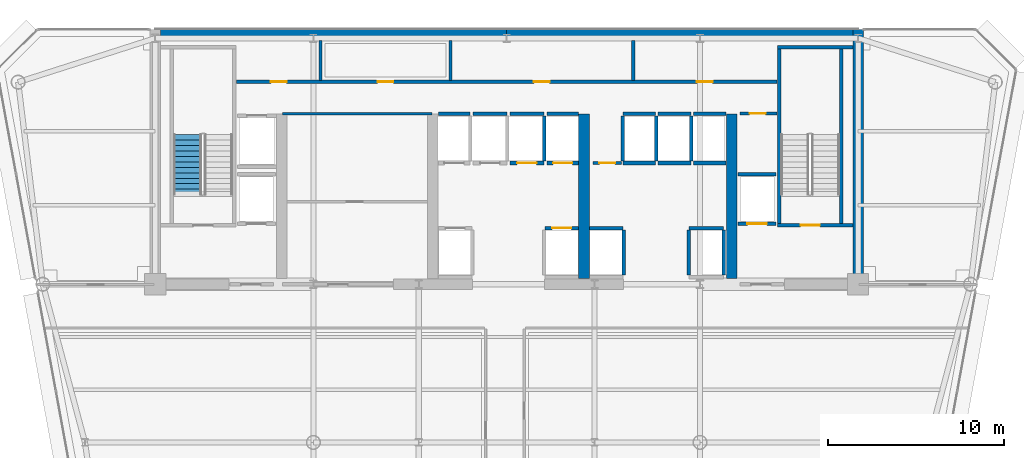
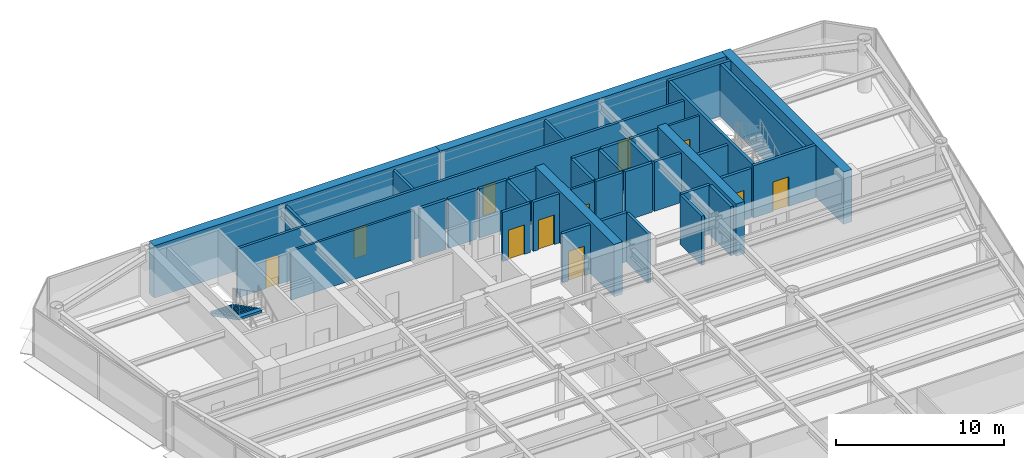
# One storey, part 11 of 16: 40 walls, 11 doors, 1 stair flight, 11 openings, 1 element without a shape of its own.
"""IFC4 building model written with IfcOpenShell, lengths in metres."""

from ifc_helpers import new_model, si_unit, direction, frame, frame_2d, origin, place, context, subcontext, project, spatial, polyline, rectangle, outline, extrude, source, transform, mapped, material, layer, layer_set, type_object, element, fill, aggregate, save


model = new_model("IFC4")

# Units and contexts
model_context = context("Model", 3, precision=1e-05, world=origin(), true_north=direction((0.0, 1.0)))
body_context = subcontext(model_context, "Body", "Model", "MODEL_VIEW")
ifc_project = project(units=[si_unit("LENGTHUNIT", "METRE"), si_unit("AREAUNIT", "SQUARE_METRE"), si_unit("VOLUMEUNIT", "CUBIC_METRE"), si_unit("PLANEANGLEUNIT", "RADIAN"), si_unit("MASSUNIT", "GRAM", prefix="KILO")], contexts=[model_context])

# Site, building, storey
site_placement = place(None, origin())
site = spatial("IfcSite", under=ifc_project, at=site_placement, CompositionType="ELEMENT")
building_placement = place(site_placement, origin())
building = spatial("IfcBuilding", under=site, at=building_placement, Name="Vaeldorn Concourse Tower", CompositionType="ELEMENT")
storey_placement = place(building_placement, frame((0.0, 0.0, 191.800048828125)))
storey = spatial("IfcBuildingStorey", under=building, at=storey_placement, Name="L49", CompositionType="ELEMENT", Elevation=191.800048828125)

# Walls
ifc_material_1 = material(Name="Concrete C50/60", Category="concrete")
ifc_layer_1 = layer(ifc_material_1, 0.60009765625)
ifc_layer_set_1 = layer_set([ifc_layer_1], Name="Concrete C50/60")
wall_type_1 = type_object("IfcWallType", Name="WL-CORE-600", PredefinedType="SHEAR", material=ifc_layer_set_1)
for number, where, z_axis, x_axis, name in (
    (1, (14.303955078125, 50.699951171875, 0.0), (0.0, 0.0, 1.0), (1.0, 0.0, 0.0), "Rear Core Shear Wall L49 N1"),
    (2, (34.001953125, 50.699951171875, 0.0), (0.0, 0.0, 1.0), (1.0, 0.0, 0.0), "Rear Core Shear Wall L49 N2"),
):
    element("IfcWall", number, at=place(storey_placement, frame(where, z_axis=z_axis, x_axis=x_axis)), inside=storey, type_object=wall_type_1, Name=name, PredefinedType="SHEAR", context=body_context, shape_type="SweptSolid", body=[
        extrude(rectangle(XDim=19.694091796875, YDim=0.60009765625, at=frame_2d((9.84716796875, 0.0))), origin(), (0.0, 0.0, 1.0), 3.800048828125),
    ])
wall_1_placement = place(storey_placement, frame((54.0, 36.5, 0.0), z_axis=(0.0, 0.0, 1.0), x_axis=(0.0, 1.0, 0.0)))
element("IfcWall", 3, at=wall_1_placement, inside=storey, type_object=wall_type_1, Name="Rear Core Shear Wall L49 E1", PredefinedType="SHEAR", context=body_context, shape_type="SweptSolid", body=[
    extrude(rectangle(XDim=14.5, YDim=0.60009765625, at=frame_2d((7.25, 0.0))), origin(), (0.0, 0.0, 1.0), 3.800048828125),
])
for number, where, z_axis, x_axis, name in (
    (4, (38.39990234375, 36.820068359375, 0.0), (0.0, 0.0, 1.0), (0.0, 1.0, 0.0), "Rear Core Shear Wall L49 M3"),
    (5, (46.800048828125, 36.820068359375, 0.0), (0.0, 0.0, 1.0), (0.0, 1.0, 0.0), "Rear Core Shear Wall L49 M4"),
):
    element("IfcWall", number, at=place(storey_placement, frame(where, z_axis=z_axis, x_axis=x_axis)), inside=storey, type_object=wall_type_1, Name=name, PredefinedType="SHEAR", context=body_context, shape_type="SweptSolid", body=[
        extrude(rectangle(XDim=9.3798828125, YDim=0.60009765625, at=frame_2d((4.68994140625, 0.0))), origin(), (0.0, 0.0, 1.0), 3.800048828125),
    ])
ifc_material_2 = material(Name="Gypsum Board Partition", Category="gypsum")
ifc_layer_2 = layer(ifc_material_2, 0.14990234375)
ifc_layer_set_2 = layer_set([ifc_layer_2], Name="Gypsum Board Partition")
wall_type_2 = type_object("IfcWallType", Name="WL-PART-150", PredefinedType="PARTITIONING", material=ifc_layer_set_2)
wall_2_placement = place(storey_placement, frame((21.25, 46.199951171875, 0.0), z_axis=(0.0, 0.0, 1.0), x_axis=(1.0, 0.0, 0.0)))
element("IfcWall", 6, at=wall_2_placement, inside=storey, type_object=wall_type_2, Name="Interior Wall CW-L49-R1N", PredefinedType="PARTITIONING", context=body_context, shape_type="SweptSolid", body=[
    extrude(rectangle(XDim=8.5, YDim=0.14990234375, at=frame_2d((4.25, 0.0))), origin(), (0.0, 0.0, 1.0), 3.579833984375),
])

# Wall, opening, door
wall_3_placement = place(storey_placement, frame((47.280029296875, 46.219970703125, 0.0), z_axis=(0.0, 0.0, 1.0), x_axis=(1.0, 0.0, 0.0)))
wall_3 = element("IfcWall", 7, at=wall_3_placement, inside=storey, type_object=wall_type_2, Name="Interior Wall CW-L49-CRSE-N", PredefinedType="PARTITIONING", context=body_context, shape_type="SweptSolid", body=[
    extrude(rectangle(XDim=2.099853515625, YDim=0.14990234375, at=frame_2d((1.0498046875, 0.0))), origin(), (0.0, 0.0, 1.0), 3.579833984375),
])
opening_1_placement = place(wall_3_placement, frame((0.550048828125, 0.0, 0.0)))
opening_1 = element("IfcOpeningElement", 8, at=opening_1_placement, cuts=wall_3, Name="Opening D-02", PredefinedType="OPENING", context=body_context, shape_type="SweptSolid", body=[
    extrude(rectangle(XDim=0.89990234375, YDim=2.10009765625, at=frame_2d((0.449951171875, 1.050048828125))), frame((0.0, 0.0849609375, 0.0), z_axis=(0.0, -1.0, 0.0), x_axis=(1.0, 0.0, 0.0)), (0.0, 0.0, 1.0), 0.169921875),
])
ifc_material_3 = material(Name="Fire-Rated Timber Leaf", Category="wood")
door_type_1 = type_object("IfcDoorType", Name="DR-FD30-900", OperationType="NOTDEFINED", PredefinedType="DOOR", material=ifc_material_3)
shared_shape_1 = source(origin(), body_context, "Body", "SweptSolid", [
    extrude(rectangle(XDim=0.89990234375, YDim=2.10009765625, at=frame_2d((0.449951171875, 1.050048828125))), frame((0.0, 0.02490234375, 0.0), z_axis=(0.0, -1.0, 0.0), x_axis=(1.0, 0.0, 0.0)), (0.0, 0.0, 1.0), 0.050048828125),
])
door_1_placement = place(opening_1_placement, origin())
door_1 = element("IfcDoor", 9, at=door_1_placement, inside=storey, type_object=door_type_1, Name="Interior Door DR-L49-CRSE", OperationType="SINGLE_SWING_RIGHT", OverallHeight=2.10009765625, OverallWidth=0.89990234375, PredefinedType="DOOR", context=body_context, shape_type="MappedRepresentation", body=[
    mapped(shared_shape_1, transform((0.0, 0.0, 0.0), scale=1.0)),
])
fill(opening_1, door_1)

wall_4_placement = place(storey_placement, frame((38.919921875, 43.39990234375, 0.0), z_axis=(0.0, 0.0, 1.0), x_axis=(1.0, 0.0, 0.0)))
wall_4 = element("IfcWall", 10, at=wall_4_placement, inside=storey, type_object=wall_type_2, Name="Interior Wall CW-L49-CCLINK", PredefinedType="PARTITIONING", context=body_context, shape_type="SweptSolid", body=[
    extrude(rectangle(XDim=1.60009765625, YDim=0.14990234375, at=frame_2d((0.800048828125, 0.0))), origin(), (0.0, 0.0, 1.0), 3.579833984375),
])
opening_2_placement = place(wall_4_placement, frame((0.35009765625, 0.0, 0.0)))
opening_2 = element("IfcOpeningElement", 11, at=opening_2_placement, cuts=wall_4, Name="Opening D-02", PredefinedType="OPENING", context=body_context, shape_type="SweptSolid", body=[
    extrude(rectangle(XDim=0.89990234375, YDim=2.10009765625, at=frame_2d((0.449951171875, 1.050048828125))), frame((0.0, 0.0849609375, 0.0), z_axis=(0.0, -1.0, 0.0), x_axis=(1.0, 0.0, 0.0)), (0.0, 0.0, 1.0), 0.169921875),
])
door_2_placement = place(opening_2_placement, origin())
door_2 = element("IfcDoor", 12, at=door_2_placement, inside=storey, type_object=door_type_1, Name="Interior Door DR-L49-CCLINK", OperationType="SINGLE_SWING_LEFT", OverallHeight=2.10009765625, OverallWidth=0.89990234375, PredefinedType="DOOR", context=body_context, shape_type="MappedRepresentation", body=[
    mapped(shared_shape_1, transform((0.0, 0.0, 0.0), scale=1.0)),
])
fill(opening_2, door_2)

# Wall, openings, doors
ifc_layer_3 = layer(ifc_material_2, 0.179931640625)
ifc_layer_set_3 = layer_set([ifc_layer_3], Name="Gypsum Board Partition")
wall_type_3 = type_object("IfcWallType", Name="WL-PLUMB-180", PredefinedType="PLUMBINGWALL", material=ifc_layer_set_3)
wall_5_placement = place(storey_placement, frame((18.6201171875, 48.02001953125, 0.0), z_axis=(0.0, 0.0, 1.0), x_axis=(1.0, 0.0, 0.0)))
wall_5 = element("IfcWall", 13, at=wall_5_placement, inside=storey, type_object=wall_type_3, Name="Interior Wall CW-L49-NS0", PredefinedType="PLUMBINGWALL", context=body_context, shape_type="SweptSolid", body=[
    extrude(rectangle(XDim=30.759765625, YDim=0.179931640625, at=frame_2d((15.3798828125, 0.0))), origin(), (0.0, 0.0, 1.0), 3.579833984375),
])
opening_3_placement = place(wall_5_placement, frame((1.955078125, 0.0, 0.0)))
opening_3 = element("IfcOpeningElement", 14, at=opening_3_placement, cuts=wall_5, Name="Opening D-03", PredefinedType="OPENING", context=body_context, shape_type="SweptSolid", body=[
    extrude(rectangle(XDim=0.89990234375, YDim=2.14990234375, at=frame_2d((0.449951171875, 1.074951171875))), frame((0.0, 0.10009765625, 0.0), z_axis=(0.0, -1.0, 0.0), x_axis=(1.0, 0.0, 0.0)), (0.0, 0.0, 1.0), 0.199951171875),
])
opening_4_placement = place(wall_5_placement, frame((8.030029296875, 0.0, 0.0)))
opening_4 = element("IfcOpeningElement", 15, at=opening_4_placement, cuts=wall_5, Name="Opening D-03", PredefinedType="OPENING", context=body_context, shape_type="SweptSolid", body=[
    extrude(rectangle(XDim=0.89990234375, YDim=2.14990234375, at=frame_2d((0.449951171875, 1.074951171875))), frame((0.0, 0.10009765625, 0.0), z_axis=(0.0, -1.0, 0.0), x_axis=(1.0, 0.0, 0.0)), (0.0, 0.0, 1.0), 0.199951171875),
])
opening_5_placement = place(wall_5_placement, frame((16.929931640625, 0.0, 0.0)))
opening_5 = element("IfcOpeningElement", 16, at=opening_5_placement, cuts=wall_5, Name="Opening D-03", PredefinedType="OPENING", context=body_context, shape_type="SweptSolid", body=[
    extrude(rectangle(XDim=0.89990234375, YDim=2.14990234375, at=frame_2d((0.449951171875, 1.074951171875))), frame((0.0, 0.10009765625, 0.0), z_axis=(0.0, -1.0, 0.0), x_axis=(1.0, 0.0, 0.0)), (0.0, 0.0, 1.0), 0.199951171875),
])
opening_6_placement = place(wall_5_placement, frame((26.205078125, 0.0, 0.0)))
opening_6 = element("IfcOpeningElement", 17, at=opening_6_placement, cuts=wall_5, Name="Opening D-03", PredefinedType="OPENING", context=body_context, shape_type="SweptSolid", body=[
    extrude(rectangle(XDim=0.89990234375, YDim=2.14990234375, at=frame_2d((0.449951171875, 1.074951171875))), frame((0.0, 0.10009765625, 0.0), z_axis=(0.0, -1.0, 0.0), x_axis=(1.0, 0.0, 0.0)), (0.0, 0.0, 1.0), 0.199951171875),
])
ifc_material_4 = material(Name="Acoustic Bronze-Framed Glass Door", Category="glass")
door_type_2 = type_object("IfcDoorType", Name="DR-INT-900", OperationType="NOTDEFINED", PredefinedType="DOOR", material=ifc_material_4)
shared_shape_2 = source(origin(), body_context, "Body", "SweptSolid", [
    extrude(rectangle(XDim=0.89990234375, YDim=2.14990234375, at=frame_2d((0.449951171875, 1.074951171875))), frame((0.0, 0.02490234375, 0.0), z_axis=(0.0, -1.0, 0.0), x_axis=(1.0, 0.0, 0.0)), (0.0, 0.0, 1.0), 0.050048828125),
])
door_3_placement = place(opening_3_placement, origin())
door_3 = element("IfcDoor", 18, at=door_3_placement, inside=storey, type_object=door_type_2, Name="Interior Door DR-L49-CS1", OperationType="SINGLE_SWING_LEFT", OverallHeight=2.14990234375, OverallWidth=0.89990234375, PredefinedType="DOOR", context=body_context, shape_type="MappedRepresentation", body=[
    mapped(shared_shape_2, transform((0.0, 0.0, 0.0), scale=1.0)),
])
fill(opening_3, door_3)
door_4_placement = place(opening_4_placement, origin())
door_4 = element("IfcDoor", 19, at=door_4_placement, inside=storey, type_object=door_type_2, Name="Interior Door DR-L49-CS2", OperationType="SINGLE_SWING_RIGHT", OverallHeight=2.14990234375, OverallWidth=0.89990234375, PredefinedType="DOOR", context=body_context, shape_type="MappedRepresentation", body=[
    mapped(shared_shape_2, transform((0.0, 0.0, 0.0), scale=1.0)),
])
fill(opening_4, door_4)
door_5_placement = place(opening_5_placement, origin())
door_5 = element("IfcDoor", 20, at=door_5_placement, inside=storey, type_object=door_type_2, Name="Interior Door DR-L49-CS3", OperationType="SINGLE_SWING_LEFT", OverallHeight=2.14990234375, OverallWidth=0.89990234375, PredefinedType="DOOR", context=body_context, shape_type="MappedRepresentation", body=[
    mapped(shared_shape_2, transform((0.0, 0.0, 0.0), scale=1.0)),
])
fill(opening_5, door_5)
door_6_placement = place(opening_6_placement, origin())
door_6 = element("IfcDoor", 21, at=door_6_placement, inside=storey, type_object=door_type_2, Name="Interior Door DR-L49-CS4", OperationType="SINGLE_SWING_RIGHT", OverallHeight=2.14990234375, OverallWidth=0.89990234375, PredefinedType="DOOR", context=body_context, shape_type="MappedRepresentation", body=[
    mapped(shared_shape_2, transform((0.0, 0.0, 0.0), scale=1.0)),
])
fill(opening_6, door_6)

# Walls
for number, where, z_axis, x_axis, name in (
    (22, (23.39990234375, 48.10009765625, 0.0), (0.0, 0.0, 1.0), (0.0, 1.0, 0.0), "Interior Wall CW-L49-NDIV1"),
    (23, (30.800048828125, 48.10009765625, 0.0), (0.0, 0.0, 1.0), (0.0, 1.0, 0.0), "Interior Wall CW-L49-NDIV2"),
    (24, (41.199951171875, 48.10009765625, 0.0), (0.0, 0.0, 1.0), (0.0, 1.0, 0.0), "Interior Wall CW-L49-NDIV3"),
):
    element("IfcWall", number, at=place(storey_placement, frame(where, z_axis=z_axis, x_axis=x_axis)), inside=storey, type_object=wall_type_3, Name=name, PredefinedType="PLUMBINGWALL", context=body_context, shape_type="SweptSolid", body=[
        extrude(rectangle(XDim=2.27978515625, YDim=0.179931640625, at=frame_2d((1.139892578125, 0.0))), origin(), (0.0, 0.0, 1.0), 3.579833984375),
    ])

# Wall, opening, door
ifc_layer_4 = layer(ifc_material_1, 0.199951171875)
ifc_layer_set_4 = layer_set([ifc_layer_4], Name="Concrete C50/60")
wall_type_4 = type_object("IfcWallType", Name="WL-SHAFT-200", PredefinedType="SOLIDWALL", material=ifc_layer_set_4)
wall_6_placement = place(storey_placement, frame((49.39990234375, 39.85009765625, 0.0), z_axis=(0.0, 0.0, 1.0), x_axis=(1.0, 0.0, 0.0)))
wall_6 = element("IfcWall", 25, at=wall_6_placement, inside=storey, type_object=wall_type_4, Name="Stair Shaft Wall CW-L49-ST-2-S", PredefinedType="SOLIDWALL", context=body_context, shape_type="SweptSolid", body=[
    extrude(rectangle(XDim=4.300048828125, YDim=0.199951171875, at=frame_2d((2.14990234375, 0.0))), origin(), (0.0, 0.0, 1.0), 3.800048828125),
])
opening_7_placement = place(wall_6_placement, frame((1.324951171875, 0.0, 0.0)))
opening_7 = element("IfcOpeningElement", 26, at=opening_7_placement, cuts=wall_6, Name="Opening D-01", PredefinedType="OPENING", context=body_context, shape_type="SweptSolid", body=[
    extrude(rectangle(XDim=1.10009765625, YDim=2.14990234375, at=frame_2d((0.550048828125, 1.074951171875))), frame((0.0, 0.10986328125, 0.0), z_axis=(0.0, -1.0, 0.0), x_axis=(1.0, 0.0, 0.0)), (0.0, 0.0, 1.0), 0.219970703125),
])
ifc_material_5 = material(Name="Fire-Rated Timber and Steel Leaf", Category="steel")
door_type_3 = type_object("IfcDoorType", Name="DR-FD60-1100", OperationType="NOTDEFINED", PredefinedType="DOOR", material=ifc_material_5)
shared_shape_3 = source(origin(), body_context, "Body", "SweptSolid", [
    extrude(rectangle(XDim=1.10009765625, YDim=2.14990234375, at=frame_2d((0.550048828125, 1.074951171875))), frame((0.0, 0.02490234375, 0.0), z_axis=(0.0, -1.0, 0.0), x_axis=(1.0, 0.0, 0.0)), (0.0, 0.0, 1.0), 0.050048828125),
])
door_7_placement = place(opening_7_placement, origin())
door_7 = element("IfcDoor", 27, at=door_7_placement, inside=storey, type_object=door_type_3, Name="Interior Door DR-L49-ST-2", OperationType="SINGLE_SWING_RIGHT", OverallHeight=2.14990234375, OverallWidth=1.10009765625, PredefinedType="DOOR", context=body_context, shape_type="MappedRepresentation", body=[
    mapped(shared_shape_3, transform((0.0, 0.0, 0.0), scale=1.0)),
])
fill(opening_7, door_7)

# Walls
wall_7_placement = place(storey_placement, frame((49.39990234375, 50.0, 0.0), z_axis=(0.0, 0.0, 1.0), x_axis=(1.0, 0.0, 0.0)))
element("IfcWall", 28, at=wall_7_placement, inside=storey, type_object=wall_type_4, Name="Stair Shaft Wall CW-L49-ST-2-N", PredefinedType="SOLIDWALL", context=body_context, shape_type="SweptSolid", body=[
    extrude(rectangle(XDim=4.300048828125, YDim=0.199951171875, at=frame_2d((2.14990234375, 0.0))), origin(), (0.0, 0.0, 1.0), 3.800048828125),
])
for number, where, z_axis, x_axis, name in (
    (29, (49.5, 39.9599609375, 0.0), (0.0, 0.0, 1.0), (0.0, 1.0, 0.0), "Stair Shaft Wall CW-L49-ST-2-W"),
    (30, (53.050048828125, 39.9599609375, 0.0), (0.0, 0.0, 1.0), (0.0, 1.0, 0.0), "Stair Shaft Wall CW-L49-ST-2-E"),
):
    element("IfcWall", number, at=place(storey_placement, frame(where, z_axis=z_axis, x_axis=x_axis)), inside=storey, type_object=wall_type_4, Name=name, PredefinedType="SOLIDWALL", context=body_context, shape_type="SweptSolid", body=[
        extrude(rectangle(XDim=9.929931640625, YDim=0.199951171875, at=frame_2d((4.96484375, 0.0))), origin(), (0.0, 0.0, 1.0), 3.800048828125),
    ])

# Wall, opening, door
wall_8_placement = place(storey_placement, frame((36.169921875, 39.699951171875, 0.0), z_axis=(0.0, 0.0, 1.0), x_axis=(1.0, 0.0, 0.0)))
wall_8 = element("IfcWall", 31, at=wall_8_placement, inside=storey, type_object=wall_type_4, Name="Interior Wall CW-L49-LF-LF-08", PredefinedType="SOLIDWALL", context=body_context, shape_type="SweptSolid", body=[
    extrude(rectangle(XDim=1.920166015625, YDim=0.199951171875, at=frame_2d((0.9599609375, 0.0))), origin(), (0.0, 0.0, 1.0), 3.579833984375),
])
opening_8_placement = place(wall_8_placement, frame((0.409912109375, 0.0, 0.0)))
opening_8 = element("IfcOpeningElement", 32, at=opening_8_placement, cuts=wall_8, Name="Opening LD-1", PredefinedType="OPENING", context=body_context, shape_type="SweptSolid", body=[
    extrude(rectangle(XDim=1.10009765625, YDim=2.14990234375, at=frame_2d((0.550048828125, 1.074951171875))), frame((0.0, 0.10986328125, 0.0), z_axis=(0.0, -1.0, 0.0), x_axis=(1.0, 0.0, 0.0)), (0.0, 0.0, 1.0), 0.219970703125),
])
ifc_material_6 = material(Name="Anodised Bronze Aluminium", Category="aluminium")
door_type_4 = type_object("IfcDoorType", Name="DR-LIFT-SLIDE-1100", OperationType="DOUBLE_DOOR_SLIDING", PredefinedType="DOOR", material=ifc_material_6)
door_8_placement = place(opening_8_placement, origin())
door_8 = element("IfcDoor", 33, at=door_8_placement, inside=storey, type_object=door_type_4, Name="Lift Landing Door LD-L49-LF-08", OperationType="DOUBLE_DOOR_SLIDING", OverallHeight=2.14990234375, OverallWidth=1.10009765625, PredefinedType="DOOR", context=body_context, shape_type="MappedRepresentation", body=[
    mapped(shared_shape_3, transform((0.0, 0.0, 0.0), scale=1.0)),
])
fill(opening_8, door_8)

# Walls
wall_9_placement = place(storey_placement, frame((30.110107421875, 46.199951171875, 0.0), z_axis=(0.0, 0.0, 1.0), x_axis=(1.0, 0.0, 0.0)))
element("IfcWall", 34, at=wall_9_placement, inside=storey, type_object=wall_type_4, Name="Interior Wall CW-L49-LFB-LF-09", PredefinedType="SOLIDWALL", context=body_context, shape_type="SweptSolid", body=[
    extrude(rectangle(XDim=1.7998046875, YDim=0.199951171875, at=frame_2d((0.89990234375, 0.0))), origin(), (0.0, 0.0, 1.0), 3.579833984375),
])
wall_10_placement = place(storey_placement, frame((32.090087890625, 46.199951171875, 0.0), z_axis=(0.0, 0.0, 1.0), x_axis=(1.0, 0.0, 0.0)))
element("IfcWall", 35, at=wall_10_placement, inside=storey, type_object=wall_type_4, Name="Interior Wall CW-L49-LFB-LF-10", PredefinedType="SOLIDWALL", context=body_context, shape_type="SweptSolid", body=[
    extrude(rectangle(XDim=1.919921875, YDim=0.199951171875, at=frame_2d((0.9599609375, 0.0))), origin(), (0.0, 0.0, 1.0), 3.579833984375),
])

# Wall, opening, door
wall_11_placement = place(storey_placement, frame((34.18994140625, 43.39990234375, 0.0), z_axis=(0.0, 0.0, 1.0), x_axis=(1.0, 0.0, 0.0)))
wall_11 = element("IfcWall", 36, at=wall_11_placement, inside=storey, type_object=wall_type_4, Name="Interior Wall CW-L49-LF-LF-11", PredefinedType="SOLIDWALL", context=body_context, shape_type="SweptSolid", body=[
    extrude(rectangle(XDim=1.920166015625, YDim=0.199951171875, at=frame_2d((0.9599609375, 0.0))), origin(), (0.0, 0.0, 1.0), 3.579833984375),
])
opening_9_placement = place(wall_11_placement, frame((0.409912109375, 0.0, 0.0)))
opening_9 = element("IfcOpeningElement", 37, at=opening_9_placement, cuts=wall_11, Name="Opening LD-1", PredefinedType="OPENING", context=body_context, shape_type="SweptSolid", body=[
    extrude(rectangle(XDim=1.10009765625, YDim=2.14990234375, at=frame_2d((0.550048828125, 1.074951171875))), frame((0.0, 0.10986328125, 0.0), z_axis=(0.0, -1.0, 0.0), x_axis=(1.0, 0.0, 0.0)), (0.0, 0.0, 1.0), 0.219970703125),
])
door_9_placement = place(opening_9_placement, origin())
door_9 = element("IfcDoor", 38, at=door_9_placement, inside=storey, type_object=door_type_4, Name="Lift Landing Door LD-L49-LF-11", OperationType="DOUBLE_DOOR_SLIDING", OverallHeight=2.14990234375, OverallWidth=1.10009765625, PredefinedType="DOOR", context=body_context, shape_type="MappedRepresentation", body=[
    mapped(shared_shape_3, transform((0.0, 0.0, 0.0), scale=1.0)),
])
fill(opening_9, door_9)

# Walls
wall_12_placement = place(storey_placement, frame((34.18994140625, 46.199951171875, 0.0), z_axis=(0.0, 0.0, 1.0), x_axis=(1.0, 0.0, 0.0)))
element("IfcWall", 39, at=wall_12_placement, inside=storey, type_object=wall_type_4, Name="Interior Wall CW-L49-LFB-LF-11", PredefinedType="SOLIDWALL", context=body_context, shape_type="SweptSolid", body=[
    extrude(rectangle(XDim=1.920166015625, YDim=0.199951171875, at=frame_2d((0.9599609375, 0.0))), origin(), (0.0, 0.0, 1.0), 3.579833984375),
])
wall_13_placement = place(storey_placement, frame((36.1298828125, 43.52001953125, 0.0), z_axis=(0.0, 0.0, 1.0), x_axis=(0.0, 1.0, 0.0)))
element("IfcWall", 40, at=wall_13_placement, inside=storey, type_object=wall_type_4, Name="Interior Wall CW-L49-LFE-LF-11", PredefinedType="SOLIDWALL", context=body_context, shape_type="SweptSolid", body=[
    extrude(rectangle(XDim=2.56005859375, YDim=0.199951171875, at=frame_2d((1.280029296875, 0.0))), origin(), (0.0, 0.0, 1.0), 3.579833984375),
])

# Wall, opening, door
wall_14_placement = place(storey_placement, frame((36.2900390625, 43.39990234375, 0.0), z_axis=(0.0, 0.0, 1.0), x_axis=(1.0, 0.0, 0.0)))
wall_14 = element("IfcWall", 41, at=wall_14_placement, inside=storey, type_object=wall_type_4, Name="Interior Wall CW-L49-LF-LF-12", PredefinedType="SOLIDWALL", context=body_context, shape_type="SweptSolid", body=[
    extrude(rectangle(XDim=1.800048828125, YDim=0.199951171875, at=frame_2d((0.89990234375, 0.0))), origin(), (0.0, 0.0, 1.0), 3.579833984375),
])
opening_10_placement = place(wall_14_placement, frame((0.35009765625, 0.0, 0.0)))
opening_10 = element("IfcOpeningElement", 42, at=opening_10_placement, cuts=wall_14, Name="Opening LD-1", PredefinedType="OPENING", context=body_context, shape_type="SweptSolid", body=[
    extrude(rectangle(XDim=1.10009765625, YDim=2.14990234375, at=frame_2d((0.550048828125, 1.074951171875))), frame((0.0, 0.10986328125, 0.0), z_axis=(0.0, -1.0, 0.0), x_axis=(1.0, 0.0, 0.0)), (0.0, 0.0, 1.0), 0.219970703125),
])
door_10_placement = place(opening_10_placement, origin())
door_10 = element("IfcDoor", 43, at=door_10_placement, inside=storey, type_object=door_type_4, Name="Lift Landing Door LD-L49-LF-12", OperationType="DOUBLE_DOOR_SLIDING", OverallHeight=2.14990234375, OverallWidth=1.10009765625, PredefinedType="DOOR", context=body_context, shape_type="MappedRepresentation", body=[
    mapped(shared_shape_3, transform((0.0, 0.0, 0.0), scale=1.0)),
])
fill(opening_10, door_10)

# Walls
wall_15_placement = place(storey_placement, frame((36.2900390625, 46.199951171875, 0.0), z_axis=(0.0, 0.0, 1.0), x_axis=(1.0, 0.0, 0.0)))
element("IfcWall", 44, at=wall_15_placement, inside=storey, type_object=wall_type_4, Name="Interior Wall CW-L49-LFB-LF-12", PredefinedType="SOLIDWALL", context=body_context, shape_type="SweptSolid", body=[
    extrude(rectangle(XDim=1.800048828125, YDim=0.199951171875, at=frame_2d((0.89990234375, 0.0))), origin(), (0.0, 0.0, 1.0), 3.579833984375),
])
wall_16_placement = place(storey_placement, frame((38.7099609375, 39.699951171875, 0.0), z_axis=(0.0, 0.0, 1.0), x_axis=(1.0, 0.0, 0.0)))
element("IfcWall", 45, at=wall_16_placement, inside=storey, type_object=wall_type_4, Name="Interior Wall CW-L49-LF-LF-13", PredefinedType="SOLIDWALL", context=body_context, shape_type="SweptSolid", body=[
    extrude(rectangle(XDim=1.919921875, YDim=0.199951171875, at=frame_2d((0.9599609375, 0.0))), origin(), (0.0, 0.0, 1.0), 3.579833984375),
])
wall_17_placement = place(storey_placement, frame((40.64990234375, 37.02001953125, 0.0), z_axis=(0.0, 0.0, 1.0), x_axis=(0.0, 1.0, 0.0)))
element("IfcWall", 46, at=wall_17_placement, inside=storey, type_object=wall_type_4, Name="Interior Wall CW-L49-LFE-LF-13", PredefinedType="SOLIDWALL", context=body_context, shape_type="SweptSolid", body=[
    extrude(rectangle(XDim=2.56005859375, YDim=0.199951171875, at=frame_2d((1.280029296875, 0.0))), origin(), (0.0, 0.0, 1.0), 3.579833984375),
])
wall_18_placement = place(storey_placement, frame((44.3701171875, 39.699951171875, 0.0), z_axis=(0.0, 0.0, 1.0), x_axis=(1.0, 0.0, 0.0)))
element("IfcWall", 47, at=wall_18_placement, inside=storey, type_object=wall_type_4, Name="Interior Wall CW-L49-LF-LF-14", PredefinedType="SOLIDWALL", context=body_context, shape_type="SweptSolid", body=[
    extrude(rectangle(XDim=1.9599609375, YDim=0.199951171875, at=frame_2d((0.97998046875, 0.0))), origin(), (0.0, 0.0, 1.0), 3.579833984375),
])
for number, where, z_axis, x_axis, name in (
    (48, (44.35009765625, 37.02001953125, 0.0), (0.0, 0.0, 1.0), (0.0, 1.0, 0.0), "Interior Wall CW-L49-LFW-LF-14"),
    (49, (46.35009765625, 37.02001953125, 0.0), (0.0, 0.0, 1.0), (0.0, 1.0, 0.0), "Interior Wall CW-L49-LFE-LF-14"),
):
    element("IfcWall", number, at=place(storey_placement, frame(where, z_axis=z_axis, x_axis=x_axis)), inside=storey, type_object=wall_type_4, Name=name, PredefinedType="SOLIDWALL", context=body_context, shape_type="SweptSolid", body=[
        extrude(rectangle(XDim=2.56005859375, YDim=0.199951171875, at=frame_2d((1.280029296875, 0.0))), origin(), (0.0, 0.0, 1.0), 3.579833984375),
    ])
for number, where, z_axis, x_axis, name in (
    (50, (40.6201171875, 43.39990234375, 0.0), (0.0, 0.0, 1.0), (1.0, 0.0, 0.0), "Interior Wall CW-L49-LF-LF-15"),
    (51, (40.6201171875, 46.199951171875, 0.0), (0.0, 0.0, 1.0), (1.0, 0.0, 0.0), "Interior Wall CW-L49-LFB-LF-15"),
):
    element("IfcWall", number, at=place(storey_placement, frame(where, z_axis=z_axis, x_axis=x_axis)), inside=storey, type_object=wall_type_4, Name=name, PredefinedType="SOLIDWALL", context=body_context, shape_type="SweptSolid", body=[
        extrude(rectangle(XDim=1.85986328125, YDim=0.199951171875, at=frame_2d((0.929931640625, 0.0))), origin(), (0.0, 0.0, 1.0), 3.579833984375),
    ])
for number, where, z_axis, x_axis, name in (
    (52, (40.60009765625, 43.52001953125, 0.0), (0.0, 0.0, 1.0), (0.0, 1.0, 0.0), "Interior Wall CW-L49-LFW-LF-15"),
    (53, (42.5, 43.52001953125, 0.0), (0.0, 0.0, 1.0), (0.0, 1.0, 0.0), "Interior Wall CW-L49-LFE-LF-15"),
):
    element("IfcWall", number, at=place(storey_placement, frame(where, z_axis=z_axis, x_axis=x_axis)), inside=storey, type_object=wall_type_4, Name=name, PredefinedType="SOLIDWALL", context=body_context, shape_type="SweptSolid", body=[
        extrude(rectangle(XDim=2.56005859375, YDim=0.199951171875, at=frame_2d((1.280029296875, 0.0))), origin(), (0.0, 0.0, 1.0), 3.579833984375),
    ])
for number, where, z_axis, x_axis, name in (
    (54, (42.6201171875, 43.39990234375, 0.0), (0.0, 0.0, 1.0), (1.0, 0.0, 0.0), "Interior Wall CW-L49-LF-LF-16"),
    (55, (42.6201171875, 46.199951171875, 0.0), (0.0, 0.0, 1.0), (1.0, 0.0, 0.0), "Interior Wall CW-L49-LFB-LF-16"),
):
    element("IfcWall", number, at=place(storey_placement, frame(where, z_axis=z_axis, x_axis=x_axis)), inside=storey, type_object=wall_type_4, Name=name, PredefinedType="SOLIDWALL", context=body_context, shape_type="SweptSolid", body=[
        extrude(rectangle(XDim=1.85986328125, YDim=0.199951171875, at=frame_2d((0.929931640625, 0.0))), origin(), (0.0, 0.0, 1.0), 3.579833984375),
    ])
wall_19_placement = place(storey_placement, frame((44.5, 43.52001953125, 0.0), z_axis=(0.0, 0.0, 1.0), x_axis=(0.0, 1.0, 0.0)))
element("IfcWall", 56, at=wall_19_placement, inside=storey, type_object=wall_type_4, Name="Interior Wall CW-L49-LFE-LF-16", PredefinedType="SOLIDWALL", context=body_context, shape_type="SweptSolid", body=[
    extrude(rectangle(XDim=2.56005859375, YDim=0.199951171875, at=frame_2d((1.280029296875, 0.0))), origin(), (0.0, 0.0, 1.0), 3.579833984375),
])
for number, where, z_axis, x_axis, name in (
    (57, (44.6201171875, 43.39990234375, 0.0), (0.0, 0.0, 1.0), (1.0, 0.0, 0.0), "Interior Wall CW-L49-LF-LF-17"),
    (58, (44.6201171875, 46.199951171875, 0.0), (0.0, 0.0, 1.0), (1.0, 0.0, 0.0), "Interior Wall CW-L49-LFB-LF-17"),
):
    element("IfcWall", number, at=place(storey_placement, frame(where, z_axis=z_axis, x_axis=x_axis)), inside=storey, type_object=wall_type_4, Name=name, PredefinedType="SOLIDWALL", context=body_context, shape_type="SweptSolid", body=[
        extrude(rectangle(XDim=1.85986328125, YDim=0.199951171875, at=frame_2d((0.929931640625, 0.0))), origin(), (0.0, 0.0, 1.0), 3.579833984375),
    ])

# Wall, opening, door
wall_20_placement = place(storey_placement, frame((47.169921875, 39.949951171875, 0.0), z_axis=(0.0, 0.0, 1.0), x_axis=(1.0, 0.0, 0.0)))
wall_20 = element("IfcWall", 59, at=wall_20_placement, inside=storey, type_object=wall_type_4, Name="Interior Wall CW-L49-LF-LF-FF2", PredefinedType="SOLIDWALL", context=body_context, shape_type="SweptSolid", body=[
    extrude(rectangle(XDim=2.16015625, YDim=0.199951171875, at=frame_2d((1.080078125, 0.0))), origin(), (0.0, 0.0, 1.0), 3.579833984375),
])
opening_11_placement = place(wall_20_placement, frame((0.530029296875, 0.0, 0.0)))
opening_11 = element("IfcOpeningElement", 60, at=opening_11_placement, cuts=wall_20, Name="Opening LD-1", PredefinedType="OPENING", context=body_context, shape_type="SweptSolid", body=[
    extrude(rectangle(XDim=1.10009765625, YDim=2.14990234375, at=frame_2d((0.550048828125, 1.074951171875))), frame((0.0, 0.10986328125, 0.0), z_axis=(0.0, -1.0, 0.0), x_axis=(1.0, 0.0, 0.0)), (0.0, 0.0, 1.0), 0.219970703125),
])
door_11_placement = place(opening_11_placement, origin())
door_11 = element("IfcDoor", 61, at=door_11_placement, inside=storey, type_object=door_type_4, Name="Lift Landing Door LD-L49-LF-FF2", OperationType="DOUBLE_DOOR_SLIDING", OverallHeight=2.14990234375, OverallWidth=1.10009765625, PredefinedType="DOOR", context=body_context, shape_type="MappedRepresentation", body=[
    mapped(shared_shape_3, transform((0.0, 0.0, 0.0), scale=1.0)),
])
fill(opening_11, door_11)

# Wall
wall_21_placement = place(storey_placement, frame((47.169921875, 42.75, 0.0), z_axis=(0.0, 0.0, 1.0), x_axis=(1.0, 0.0, 0.0)))
element("IfcWall", 62, at=wall_21_placement, inside=storey, type_object=wall_type_4, Name="Interior Wall CW-L49-LFB-LF-FF2", PredefinedType="SOLIDWALL", context=body_context, shape_type="SweptSolid", body=[
    extrude(rectangle(XDim=2.16015625, YDim=0.199951171875, at=frame_2d((1.080078125, 0.0))), origin(), (0.0, 0.0, 1.0), 3.579833984375),
])

# Stair, stair flight
ifc_material_7 = material(Name="Precast concrete C40/50", Category="concrete")
stair_type = type_object("IfcStairType", Name="STR-DOG-24x158", PredefinedType="HALF_TURN_STAIR", material=ifc_material_7)
stair_placement = place(storey_placement, origin())
stair = element("IfcStair", 63, at=stair_placement, inside=storey, type_object=stair_type, Name="L49 West Core Exit Stair ST-1", PredefinedType="HALF_TURN_STAIR")
stair_flight_type = type_object("IfcStairFlightType", Name="STF-STR-12x158", PredefinedType="STRAIGHT", material=ifc_material_7)
stair_flight_placement = place(storey_placement, frame((15.85009765625, 45.010009765625, 1.89990234375), z_axis=(0.0, 0.0, 1.0), x_axis=(0.0, -1.0, 0.0)))
stair_flight = element("IfcStairFlight", 64, at=stair_flight_placement, type_object=stair_flight_type, Name="ST-1 flight 2", NumberOfRisers=12, NumberOfTreads=11, PredefinedType="STRAIGHT", RiserHeight=0.158333333, TreadLength=0.31, context=body_context, shape_type="SweptSolid", body=[
    extrude(outline(polyline([(0.0, 0.0), (0.0, 0.158447265625), (0.31005859375, 0.158447265625), (0.31005859375, 0.316650390625), (0.6201171875, 0.316650390625), (0.6201171875, 0.47509765625), (0.929931640625, 0.47509765625), (0.929931640625, 0.63330078125), (1.239990234375, 0.63330078125), (1.239990234375, 0.791748046875), (1.550048828125, 0.791748046875), (1.550048828125, 0.949951171875), (1.860107421875, 0.949951171875), (1.860107421875, 1.1083984375), (2.169921875, 1.1083984375), (2.169921875, 1.2666015625), (2.47998046875, 1.2666015625), (2.47998046875, 1.425048828125), (2.7900390625, 1.425048828125), (2.7900390625, 1.583251953125), (3.10009765625, 1.583251953125), (3.10009765625, 1.74169921875), (3.409912109375, 1.74169921875), (3.409912109375, 1.89990234375), (3.409912109375, 1.5732421875), (0.32958984375, 0.0), (0.0, 0.0)])), frame((0.0, 0.800048828125, 0.0), z_axis=(0.0, -1.0, 0.0), x_axis=(1.0, 0.0, 0.0)), (0.0, 0.0, 1.0), 1.60009765625),
])
aggregate(stair, [stair_flight])

save(model, "model.ifc")
